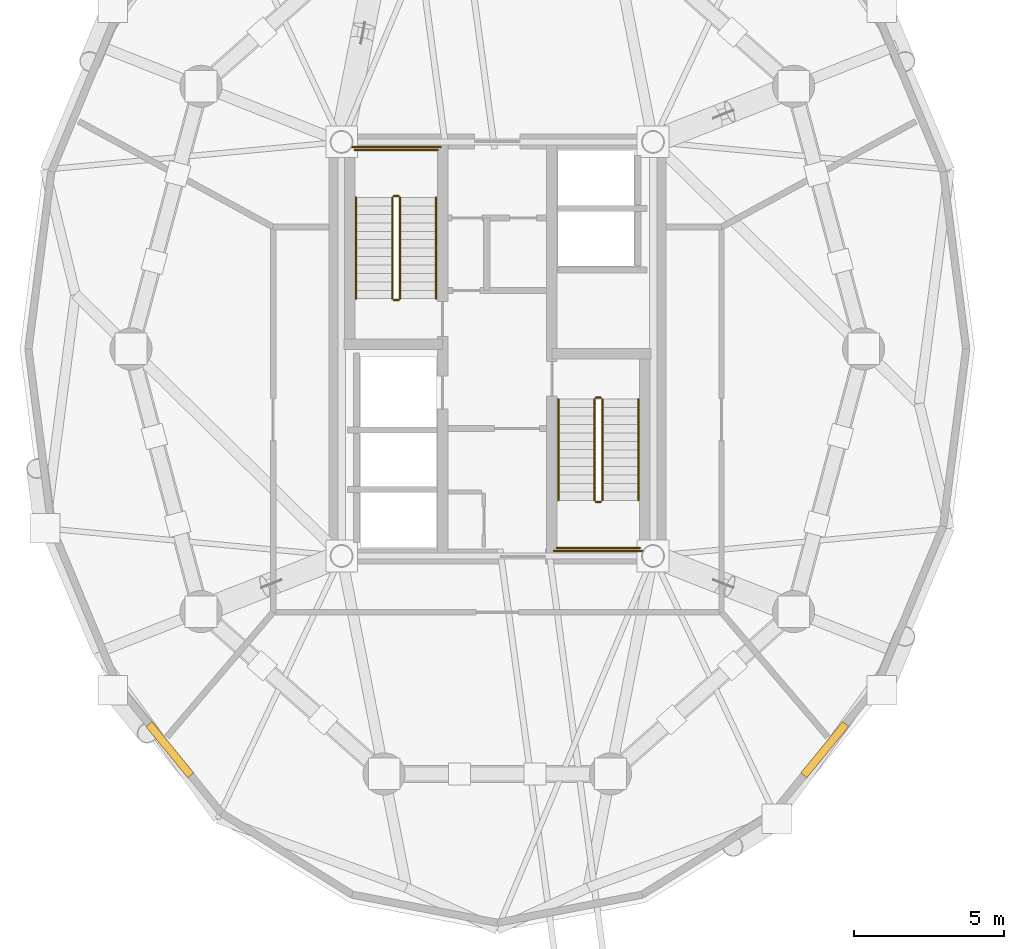
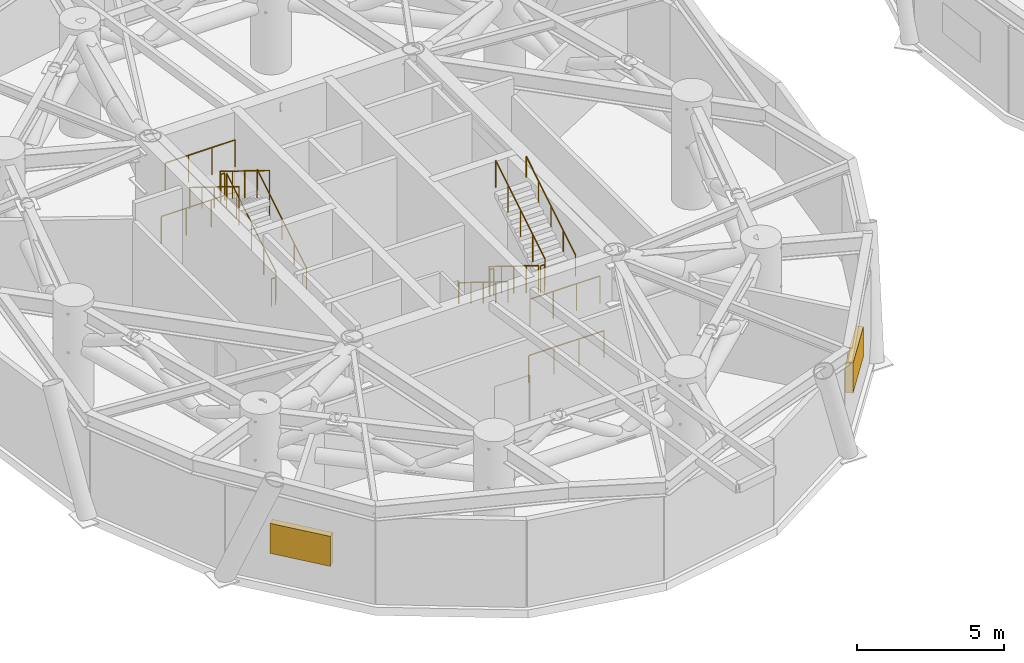
# One storey, part 14 of 16: 16 railings, 2 coverings.
"""IFC4 building model written with IfcOpenShell, lengths in metres."""

from ifc_helpers import new_model, si_unit, direction, frame, origin, origin_2d, place, context, subcontext, project, spatial, rectangle, circle, extrude, source, transform, mapped, material, type_object, element, save


model = new_model("IFC4")

# Units and contexts
model_context = context("Model", 3, precision=1e-05, world=origin(), true_north=direction((0.0, 1.0)))
body_context = subcontext(model_context, "Body", "Model", "MODEL_VIEW")
ifc_project = project(units=[si_unit("LENGTHUNIT", "METRE"), si_unit("AREAUNIT", "SQUARE_METRE"), si_unit("VOLUMEUNIT", "CUBIC_METRE"), si_unit("PLANEANGLEUNIT", "RADIAN"), si_unit("MASSUNIT", "GRAM", prefix="KILO")], contexts=[model_context])

# Site, building, storey
site_placement = place(None, origin())
site = spatial("IfcSite", under=ifc_project, at=site_placement, CompositionType="ELEMENT")
building_placement = place(site_placement, origin())
building = spatial("IfcBuilding", under=site, at=building_placement, Name="Cununo Teusaquillo Station Towers", CompositionType="ELEMENT")
storey_placement = place(building_placement, frame((0.0, 0.0, 65.64990234375)))
storey = spatial("IfcBuildingStorey", under=building, at=storey_placement, Name="L20", CompositionType="ELEMENT", Elevation=65.64990234375)

# Railings
ifc_material_1 = material(Name="Steel EN 10025-2 S355J2", Category="steel")
railing_type_1 = type_object("IfcRailingType", Name="RL-INT-GUARD", PredefinedType="GUARDRAIL", material=ifc_material_1)
railing_1_placement = place(storey_placement, frame((13.27001953125, 26.169921875, 0.173095703125)))
element("IfcRailing", 1, at=railing_1_placement, inside=storey, type_object=railing_type_1, Name="L20 ST-T1-1 stair guard 1", PredefinedType="GUARDRAIL", context=body_context, shape_type="SweptSolid", body=[
    extrude(circle(Radius=0.02392578125, at=origin_2d()), frame((0.0, 0.0, 1.1259765625), z_axis=(0.0, 0.850623216509, 0.525775754039), x_axis=(-1.0, 0.0, 0.0)), (0.0, 0.0, 1.0), 3.9501953125),
    extrude(circle(Radius=0.02099609375, at=origin_2d()), origin(), (0.0, 0.0, 1.0), 1.101806640625),
    extrude(circle(Radius=0.02099609375, at=origin_2d()), frame((0.0, 0.840087890625, 0.519287109375)), (0.0, 0.0, 1.0), 1.101806640625),
    extrude(circle(Radius=0.02099609375, at=origin_2d()), frame((0.0, 1.68017578125, 1.03857421875)), (0.0, 0.0, 1.0), 1.101806640625),
    extrude(circle(Radius=0.02099609375, at=origin_2d()), frame((0.0, 2.52001953125, 1.5576171875)), (0.0, 0.0, 1.0), 1.101806640625),
    extrude(circle(Radius=0.02099609375, at=origin_2d()), frame((0.0, 3.360107421875, 2.076904296875)), (0.0, 0.0, 1.0), 1.101806640625),
])
railing_2_placement = place(storey_placement, frame((13.219970703125, 29.580078125, 2.25)))
element("IfcRailing", 2, at=railing_2_placement, inside=storey, type_object=railing_type_1, Name="L20 ST-T1-1 stair guard 2", PredefinedType="GUARDRAIL", context=body_context, shape_type="SweptSolid", body=[
    extrude(circle(Radius=0.02392578125, at=origin_2d()), frame((0.0, 0.0, 1.1259765625), z_axis=(-1.0, 0.0, 0.0), x_axis=(0.0, -1.0, 0.0)), (0.0, 0.0, 1.0), 0.159912109375),
    extrude(circle(Radius=0.02099609375, at=origin_2d()), origin(), (0.0, 0.0, 1.0), 1.101806640625),
    extrude(circle(Radius=0.02099609375, at=origin_2d()), frame((-0.159912109375, 0.0, 0.0)), (0.0, 0.0, 1.0), 1.101806640625),
])
railing_3_placement = place(storey_placement, frame((14.52001953125, 31.110107421875, 2.25)))
element("IfcRailing", 3, at=railing_3_placement, inside=storey, type_object=railing_type_1, Name="L20 ST-T1-1 stair guard 3", PredefinedType="GUARDRAIL", context=body_context, shape_type="SweptSolid", body=[
    extrude(circle(Radius=0.02392578125, at=origin_2d()), frame((0.0, 0.0, 1.1259765625), z_axis=(-1.0, 0.0, 0.0), x_axis=(0.0, -1.0, 0.0)), (0.0, 0.0, 1.0), 2.760009765625),
    extrude(circle(Radius=0.02099609375, at=origin_2d()), origin(), (0.0, 0.0, 1.0), 1.101806640625),
    extrude(circle(Radius=0.02099609375, at=origin_2d()), frame((-0.919921875, 0.0, 0.0)), (0.0, 0.0, 1.0), 1.101806640625),
    extrude(circle(Radius=0.02099609375, at=origin_2d()), frame((-1.840087890625, 0.0, 0.0)), (0.0, 0.0, 1.0), 1.101806640625),
    extrude(circle(Radius=0.02099609375, at=origin_2d()), frame((-2.760009765625, 0.0, 0.0)), (0.0, 0.0, 1.0), 1.101806640625),
])
railing_4_placement = place(storey_placement, frame((13.010009765625, 29.530029296875, 2.423095703125)))
element("IfcRailing", 4, at=railing_4_placement, inside=storey, type_object=railing_type_1, Name="L20 ST-T1-1 stair guard 4", PredefinedType="GUARDRAIL", context=body_context, shape_type="SweptSolid", body=[
    extrude(circle(Radius=0.02392578125, at=origin_2d()), frame((0.0, 0.0, 1.1259765625), z_axis=(0.0, -0.850623216509, 0.525775754039), x_axis=(1.0, 0.0, 0.0)), (0.0, 0.0, 1.0), 3.9501953125),
    extrude(circle(Radius=0.02099609375, at=origin_2d()), origin(), (0.0, 0.0, 1.0), 1.101806640625),
    extrude(circle(Radius=0.02099609375, at=origin_2d()), frame((0.0, -0.840087890625, 0.519287109375)), (0.0, 0.0, 1.0), 1.101806640625),
    extrude(circle(Radius=0.02099609375, at=origin_2d()), frame((0.0, -1.68017578125, 1.03857421875)), (0.0, 0.0, 1.0), 1.101806640625),
    extrude(circle(Radius=0.02099609375, at=origin_2d()), frame((0.0, -2.52001953125, 1.5576171875)), (0.0, 0.0, 1.0), 1.101806640625),
    extrude(circle(Radius=0.02099609375, at=origin_2d()), frame((0.0, -3.360107421875, 2.076904296875)), (0.0, 0.0, 1.0), 1.101806640625),
])
railing_5_placement = place(storey_placement, frame((13.219970703125, 26.1201171875, 0.0)))
element("IfcRailing", 5, at=railing_5_placement, inside=storey, type_object=railing_type_1, Name="L20 ST-T1-1 stair guard 5", PredefinedType="GUARDRAIL", context=body_context, shape_type="SweptSolid", body=[
    extrude(circle(Radius=0.02392578125, at=origin_2d()), frame((0.0, 0.0, 1.1259765625), z_axis=(-1.0, 0.0, 0.0), x_axis=(0.0, -1.0, 0.0)), (0.0, 0.0, 1.0), 0.159912109375),
    extrude(circle(Radius=0.02099609375, at=origin_2d()), origin(), (0.0, 0.0, 1.0), 1.101806640625),
    extrude(circle(Radius=0.02099609375, at=origin_2d()), frame((-0.159912109375, 0.0, 0.0)), (0.0, 0.0, 1.0), 1.101806640625),
])
railing_6_placement = place(storey_placement, frame((14.6201171875, 31.2099609375, 0.0)))
element("IfcRailing", 6, at=railing_6_placement, inside=storey, type_object=railing_type_1, Name="L20 ST-T1-1 stair guard 6", PredefinedType="GUARDRAIL", context=body_context, shape_type="SweptSolid", body=[
    extrude(circle(Radius=0.02392578125, at=origin_2d()), frame((0.0, 0.0, 1.1259765625), z_axis=(-1.0, 0.0, 0.0), x_axis=(0.0, -1.0, 0.0)), (0.0, 0.0, 1.0), 2.960205078125),
    extrude(circle(Radius=0.02099609375, at=origin_2d()), origin(), (0.0, 0.0, 1.0), 1.101806640625),
    extrude(circle(Radius=0.02099609375, at=origin_2d()), frame((-0.98681640625, 0.0, 0.0)), (0.0, 0.0, 1.0), 1.101806640625),
    extrude(circle(Radius=0.02099609375, at=origin_2d()), frame((-1.973388671875, 0.0, 0.0)), (0.0, 0.0, 1.0), 1.101806640625),
    extrude(circle(Radius=0.02099609375, at=origin_2d()), frame((-2.960205078125, 0.0, 0.0)), (0.0, 0.0, 1.0), 1.101806640625),
])
railing_7_placement = place(storey_placement, frame((19.72998046875, 22.830078125, 0.173095703125)))
element("IfcRailing", 7, at=railing_7_placement, inside=storey, type_object=railing_type_1, Name="L20 ST-T1-2 stair guard 1", PredefinedType="GUARDRAIL", context=body_context, shape_type="SweptSolid", body=[
    extrude(circle(Radius=0.02392578125, at=origin_2d()), frame((0.0, 0.0, 1.1259765625), z_axis=(0.0, -0.850623216509, 0.525775754039), x_axis=(1.0, 0.0, 0.0)), (0.0, 0.0, 1.0), 3.9501953125),
    extrude(circle(Radius=0.02099609375, at=origin_2d()), origin(), (0.0, 0.0, 1.0), 1.101806640625),
    extrude(circle(Radius=0.02099609375, at=origin_2d()), frame((0.0, -0.840087890625, 0.519287109375)), (0.0, 0.0, 1.0), 1.101806640625),
    extrude(circle(Radius=0.02099609375, at=origin_2d()), frame((0.0, -1.68017578125, 1.03857421875)), (0.0, 0.0, 1.0), 1.101806640625),
    extrude(circle(Radius=0.02099609375, at=origin_2d()), frame((0.0, -2.52001953125, 1.5576171875)), (0.0, 0.0, 1.0), 1.101806640625),
    extrude(circle(Radius=0.02099609375, at=origin_2d()), frame((0.0, -3.360107421875, 2.076904296875)), (0.0, 0.0, 1.0), 1.101806640625),
])
railing_8_placement = place(storey_placement, frame((19.780029296875, 19.419921875, 2.25)))
element("IfcRailing", 8, at=railing_8_placement, inside=storey, type_object=railing_type_1, Name="L20 ST-T1-2 stair guard 2", PredefinedType="GUARDRAIL", context=body_context, shape_type="SweptSolid", body=[
    extrude(circle(Radius=0.02392578125, at=origin_2d()), frame((0.0, 0.0, 1.1259765625), z_axis=(1.0, 0.0, 0.0), x_axis=(0.0, 1.0, 0.0)), (0.0, 0.0, 1.0), 0.159912109375),
    extrude(circle(Radius=0.02099609375, at=origin_2d()), origin(), (0.0, 0.0, 1.0), 1.101806640625),
    extrude(circle(Radius=0.02099609375, at=origin_2d()), frame((0.159912109375, 0.0, 0.0)), (0.0, 0.0, 1.0), 1.101806640625),
])
railing_9_placement = place(storey_placement, frame((18.47998046875, 17.889892578125, 2.25)))
element("IfcRailing", 9, at=railing_9_placement, inside=storey, type_object=railing_type_1, Name="L20 ST-T1-2 stair guard 3", PredefinedType="GUARDRAIL", context=body_context, shape_type="SweptSolid", body=[
    extrude(circle(Radius=0.02392578125, at=origin_2d()), frame((0.0, 0.0, 1.1259765625), z_axis=(1.0, 0.0, 0.0), x_axis=(0.0, 1.0, 0.0)), (0.0, 0.0, 1.0), 2.760009765625),
    extrude(circle(Radius=0.02099609375, at=origin_2d()), origin(), (0.0, 0.0, 1.0), 1.101806640625),
    extrude(circle(Radius=0.02099609375, at=origin_2d()), frame((0.919921875, 0.0, 0.0)), (0.0, 0.0, 1.0), 1.101806640625),
    extrude(circle(Radius=0.02099609375, at=origin_2d()), frame((1.840087890625, 0.0, 0.0)), (0.0, 0.0, 1.0), 1.101806640625),
    extrude(circle(Radius=0.02099609375, at=origin_2d()), frame((2.760009765625, 0.0, 0.0)), (0.0, 0.0, 1.0), 1.101806640625),
])
railing_10_placement = place(storey_placement, frame((19.989990234375, 19.469970703125, 2.423095703125)))
element("IfcRailing", 10, at=railing_10_placement, inside=storey, type_object=railing_type_1, Name="L20 ST-T1-2 stair guard 4", PredefinedType="GUARDRAIL", context=body_context, shape_type="SweptSolid", body=[
    extrude(circle(Radius=0.02392578125, at=origin_2d()), frame((0.0, 0.0, 1.1259765625), z_axis=(0.0, 0.850623216509, 0.525775754039), x_axis=(-1.0, 0.0, 0.0)), (0.0, 0.0, 1.0), 3.9501953125),
    extrude(circle(Radius=0.02099609375, at=origin_2d()), origin(), (0.0, 0.0, 1.0), 1.101806640625),
    extrude(circle(Radius=0.02099609375, at=origin_2d()), frame((0.0, 0.840087890625, 0.519287109375)), (0.0, 0.0, 1.0), 1.101806640625),
    extrude(circle(Radius=0.02099609375, at=origin_2d()), frame((0.0, 1.68017578125, 1.03857421875)), (0.0, 0.0, 1.0), 1.101806640625),
    extrude(circle(Radius=0.02099609375, at=origin_2d()), frame((0.0, 2.52001953125, 1.5576171875)), (0.0, 0.0, 1.0), 1.101806640625),
    extrude(circle(Radius=0.02099609375, at=origin_2d()), frame((0.0, 3.360107421875, 2.076904296875)), (0.0, 0.0, 1.0), 1.101806640625),
])
railing_11_placement = place(storey_placement, frame((19.780029296875, 22.8798828125, 0.0)))
element("IfcRailing", 11, at=railing_11_placement, inside=storey, type_object=railing_type_1, Name="L20 ST-T1-2 stair guard 5", PredefinedType="GUARDRAIL", context=body_context, shape_type="SweptSolid", body=[
    extrude(circle(Radius=0.02392578125, at=origin_2d()), frame((0.0, 0.0, 1.1259765625), z_axis=(1.0, 0.0, 0.0), x_axis=(0.0, 1.0, 0.0)), (0.0, 0.0, 1.0), 0.159912109375),
    extrude(circle(Radius=0.02099609375, at=origin_2d()), origin(), (0.0, 0.0, 1.0), 1.101806640625),
    extrude(circle(Radius=0.02099609375, at=origin_2d()), frame((0.159912109375, 0.0, 0.0)), (0.0, 0.0, 1.0), 1.101806640625),
])
railing_12_placement = place(storey_placement, frame((18.3798828125, 17.7900390625, 0.0)))
element("IfcRailing", 12, at=railing_12_placement, inside=storey, type_object=railing_type_1, Name="L20 ST-T1-2 stair guard 6", PredefinedType="GUARDRAIL", context=body_context, shape_type="SweptSolid", body=[
    extrude(circle(Radius=0.02392578125, at=origin_2d()), frame((0.0, 0.0, 1.1259765625), z_axis=(1.0, 0.0, 0.0), x_axis=(0.0, 1.0, 0.0)), (0.0, 0.0, 1.0), 2.960205078125),
    extrude(circle(Radius=0.02099609375, at=origin_2d()), origin(), (0.0, 0.0, 1.0), 1.101806640625),
    extrude(circle(Radius=0.02099609375, at=origin_2d()), frame((0.98681640625, 0.0, 0.0)), (0.0, 0.0, 1.0), 1.101806640625),
    extrude(circle(Radius=0.02099609375, at=origin_2d()), frame((1.973388671875, 0.0, 0.0)), (0.0, 0.0, 1.0), 1.101806640625),
    extrude(circle(Radius=0.02099609375, at=origin_2d()), frame((2.960205078125, 0.0, 0.0)), (0.0, 0.0, 1.0), 1.101806640625),
])
ifc_material_2 = material(Name="Steel EN 10025-2 S355J2", Category="steel")
railing_type_2 = type_object("IfcRailingType", Name="RL-INT-HRAIL", PredefinedType="HANDRAIL", material=ifc_material_2)
railing_13_placement = place(storey_placement, frame((14.469970703125, 26.169921875, 0.173095703125)))
element("IfcRailing", 13, at=railing_13_placement, inside=storey, type_object=railing_type_2, Name="L20 ST-T1-1 stair handrail 1", PredefinedType="HANDRAIL", context=body_context, shape_type="SweptSolid", body=[
    extrude(circle(Radius=0.02392578125, at=origin_2d()), frame((0.0, 0.0, 0.8759765625), z_axis=(0.0, 0.850623216509, 0.525775754039), x_axis=(-1.0, 0.0, 0.0)), (0.0, 0.0, 1.0), 3.9501953125),
    extrude(circle(Radius=0.02099609375, at=origin_2d()), origin(), (0.0, 0.0, 1.0), 0.851806640625),
    extrude(circle(Radius=0.02099609375, at=origin_2d()), frame((0.0, 0.840087890625, 0.519287109375)), (0.0, 0.0, 1.0), 0.851806640625),
    extrude(circle(Radius=0.02099609375, at=origin_2d()), frame((0.0, 1.68017578125, 1.03857421875)), (0.0, 0.0, 1.0), 0.851806640625),
    extrude(circle(Radius=0.02099609375, at=origin_2d()), frame((0.0, 2.52001953125, 1.5576171875)), (0.0, 0.0, 1.0), 0.851806640625),
    extrude(circle(Radius=0.02099609375, at=origin_2d()), frame((0.0, 3.360107421875, 2.076904296875)), (0.0, 0.0, 1.0), 0.851806640625),
])
for number, where, name in (
    (14, (11.81005859375, 29.530029296875, 2.423095703125), "L20 ST-T1-1 stair handrail 2"),
    (15, (18.530029296875, 22.830078125, 0.173095703125), "L20 ST-T1-2 stair handrail 1"),
):
    element("IfcRailing", number, at=place(storey_placement, frame(where)), inside=storey, type_object=railing_type_2, Name=name, PredefinedType="HANDRAIL", context=body_context, shape_type="SweptSolid", body=[
        extrude(circle(Radius=0.02392578125, at=origin_2d()), frame((0.0, 0.0, 0.8759765625), z_axis=(0.0, -0.850623216509, 0.525775754039), x_axis=(1.0, 0.0, 0.0)), (0.0, 0.0, 1.0), 3.9501953125),
        extrude(circle(Radius=0.02099609375, at=origin_2d()), origin(), (0.0, 0.0, 1.0), 0.851806640625),
        extrude(circle(Radius=0.02099609375, at=origin_2d()), frame((0.0, -0.840087890625, 0.519287109375)), (0.0, 0.0, 1.0), 0.851806640625),
        extrude(circle(Radius=0.02099609375, at=origin_2d()), frame((0.0, -1.68017578125, 1.03857421875)), (0.0, 0.0, 1.0), 0.851806640625),
        extrude(circle(Radius=0.02099609375, at=origin_2d()), frame((0.0, -2.52001953125, 1.5576171875)), (0.0, 0.0, 1.0), 0.851806640625),
        extrude(circle(Radius=0.02099609375, at=origin_2d()), frame((0.0, -3.360107421875, 2.076904296875)), (0.0, 0.0, 1.0), 0.851806640625),
    ])
railing_14_placement = place(storey_placement, frame((21.18994140625, 19.469970703125, 2.423095703125)))
element("IfcRailing", 16, at=railing_14_placement, inside=storey, type_object=railing_type_2, Name="L20 ST-T1-2 stair handrail 2", PredefinedType="HANDRAIL", context=body_context, shape_type="SweptSolid", body=[
    extrude(circle(Radius=0.02392578125, at=origin_2d()), frame((0.0, 0.0, 0.8759765625), z_axis=(0.0, 0.850623216509, 0.525775754039), x_axis=(-1.0, 0.0, 0.0)), (0.0, 0.0, 1.0), 3.9501953125),
    extrude(circle(Radius=0.02099609375, at=origin_2d()), origin(), (0.0, 0.0, 1.0), 0.851806640625),
    extrude(circle(Radius=0.02099609375, at=origin_2d()), frame((0.0, 0.840087890625, 0.519287109375)), (0.0, 0.0, 1.0), 0.851806640625),
    extrude(circle(Radius=0.02099609375, at=origin_2d()), frame((0.0, 1.68017578125, 1.03857421875)), (0.0, 0.0, 1.0), 0.851806640625),
    extrude(circle(Radius=0.02099609375, at=origin_2d()), frame((0.0, 2.52001953125, 1.5576171875)), (0.0, 0.0, 1.0), 0.851806640625),
    extrude(circle(Radius=0.02099609375, at=origin_2d()), frame((0.0, 3.360107421875, 2.076904296875)), (0.0, 0.0, 1.0), 0.851806640625),
])

# Coverings
ifc_material_3 = material(Name="Anodised dark bronze aluminium EN AW-6063-T6", Category="aluminium")
covering_type = type_object("IfcCoveringType", Name="COV-LOUVRE-ACOUSTIC", PredefinedType="USERDEFINED", material=ifc_material_3)
shared_shape = source(origin(), body_context, "Body", "SweptSolid", [
    extrude(rectangle(XDim=2.199951171875, YDim=0.260009765625, at=origin_2d()), origin(), (0.0, 0.0, 1.0), 1.25),
])
for number, where, z_axis, x_axis, name in (
    (17, (5.6181640625, 11.181396484375, 1.18310546875), (0.0, 0.0, 1.0), (-0.632705328563, 0.774392644082, 0.0), "L20 Tower A Acoustic Plant Louvre C12"),
    (18, (27.3818359375, 11.181396484375, 1.18310546875), (0.0, 0.0, 1.0), (-0.632705328563, -0.774392644082, 0.0), "L20 Tower A Acoustic Plant Louvre C17"),
):
    element("IfcCovering", number, at=place(storey_placement, frame(where, z_axis=z_axis, x_axis=x_axis)), inside=storey, type_object=covering_type, Name=name, ObjectType="LOUVRE", PredefinedType="USERDEFINED", context=body_context, shape_type="MappedRepresentation", body=[
        mapped(shared_shape, transform((0.0, 0.0, 0.0), x_axis=(1.0, 0.0, 0.0), y_axis=(0.0, 1.0, 0.0), z_axis=(0.0, 0.0, 1.0), scale=1.0)),
    ])

save(model, "model.ifc")
